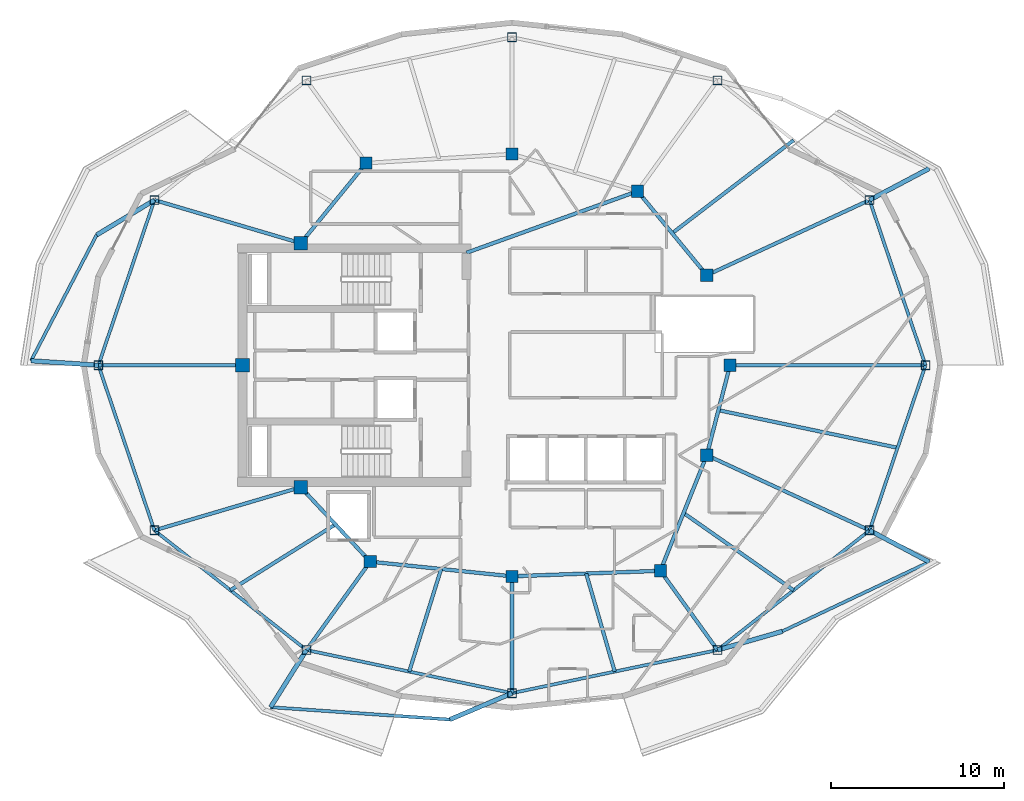
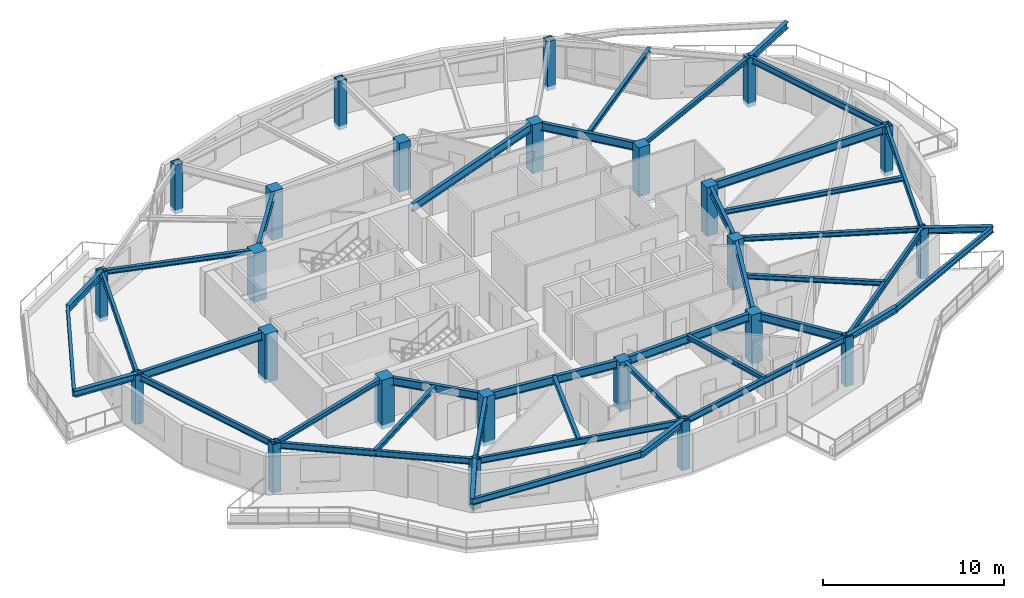
# One storey, part 1 of 12: 41 beams, 24 columns.
"""IFC4 building model written with IfcOpenShell, lengths in metres."""

from ifc_helpers import new_model, si_unit, direction, frame, origin, origin_2d, place, context, subcontext, project, spatial, rectangle, hollow_rectangle, i_section, extrude, material, material_profile, profile_set, type_object, element, save


model = new_model("IFC4")

# Units and contexts
model_context = context("Model", 3, precision=1e-05, world=origin(), true_north=direction((0.0, 1.0)))
body_context = subcontext(model_context, "Body", "Model", "MODEL_VIEW")
ifc_project = project(units=[si_unit("LENGTHUNIT", "METRE"), si_unit("AREAUNIT", "SQUARE_METRE"), si_unit("VOLUMEUNIT", "CUBIC_METRE"), si_unit("PLANEANGLEUNIT", "RADIAN"), si_unit("MASSUNIT", "GRAM", prefix="KILO")], contexts=[model_context])

# Site, building, storey
site_placement = place(None, origin())
site = spatial("IfcSite", under=ifc_project, at=site_placement, CompositionType="ELEMENT")
building_placement = place(site_placement, origin())
building = spatial("IfcBuilding", under=site, at=building_placement, Name="Kolvaren Gate Tower and Convention Centre", CompositionType="ELEMENT")
storey_placement = place(building_placement, frame((0.0, 0.0, 199.699951171875)))
storey = spatial("IfcBuildingStorey", under=building, at=storey_placement, Name="L52", CompositionType="ELEMENT", Elevation=199.699951171875)

# Columns
ifc_material_1 = material(Name="Structural steel ASTM A500 Grade C 345 MPa", Category="steel")
ifc_material_profile_1 = material_profile(ifc_material_1, hollow_rectangle(XDim=0.508056640625, YDim=0.508056640625, WallThickness=0.01904296875, at=origin_2d()), Name="HSS508X508X19.1")
ifc_profile_set_1 = profile_set([ifc_material_profile_1], Name="Structural steel ASTM A500 Grade C 345 MPa")
column_type_1 = type_object("IfcColumnType", Name="STR-COL-HSS508", PredefinedType="COLUMN", material=ifc_profile_set_1)
for number, where, z_axis, x_axis, name in (
    (1, (54.02490234375, 27.0, -0.27001953125), (0.0, 0.0, 1.0), (1.0, 0.0, 0.0), "Tower L52 Perimeter Supercolumn TP-01"),
    (2, (50.787353515625, 36.543701171875, -0.27001953125), (0.0, 0.0, 1.0), (1.0, 0.0, 0.0), "Tower L52 Perimeter Supercolumn TP-02"),
    (3, (42.002685546875, 43.4580078125, -0.27001953125), (0.0, 0.0, 1.0), (1.0, 0.0, 0.0), "Tower L52 Perimeter Supercolumn TP-03"),
    (4, (30.125, 45.949951171875, -0.27001953125), (0.0, 0.0, 1.0), (1.0, 0.0, 0.0), "Tower L52 Perimeter Supercolumn TP-04"),
    (5, (18.247314453125, 43.4580078125, -0.27001953125), (0.0, 0.0, 1.0), (1.0, 0.0, 0.0), "Tower L52 Perimeter Supercolumn TP-05"),
    (6, (9.462646484375, 36.543701171875, -0.27001953125), (0.0, 0.0, 1.0), (1.0, 0.0, 0.0), "Tower L52 Perimeter Supercolumn TP-06"),
    (7, (6.22509765625, 27.0, -0.27001953125), (0.0, 0.0, 1.0), (1.0, 0.0, 0.0), "Tower L52 Perimeter Supercolumn TP-07"),
    (8, (9.462646484375, 17.456298828125, -0.27001953125), (0.0, 0.0, 1.0), (1.0, 0.0, 0.0), "Tower L52 Perimeter Supercolumn TP-08"),
    (9, (18.247314453125, 10.5419921875, -0.27001953125), (0.0, 0.0, 1.0), (1.0, 0.0, 0.0), "Tower L52 Perimeter Supercolumn TP-09"),
    (10, (30.125, 8.050048828125, -0.27001953125), (0.0, 0.0, 1.0), (1.0, 0.0, 0.0), "Tower L52 Perimeter Supercolumn TP-10"),
    (11, (42.002685546875, 10.5419921875, -0.27001953125), (0.0, 0.0, 1.0), (1.0, 0.0, 0.0), "Tower L52 Perimeter Supercolumn TP-11"),
    (12, (50.787353515625, 17.456298828125, -0.27001953125), (0.0, 0.0, 1.0), (1.0, 0.0, 0.0), "Tower L52 Perimeter Supercolumn TP-12"),
):
    element("IfcColumn", number, at=place(storey_placement, frame(where, z_axis=z_axis, x_axis=x_axis)), inside=storey, type_object=column_type_1, Name=name, PredefinedType="COLUMN", context=body_context, shape_type="SweptSolid", body=[
        extrude(hollow_rectangle(XDim=0.508056640625, YDim=0.508056640625, WallThickness=0.01904296875, at=origin_2d()), origin(), (0.0, 0.0, 1.0), 3.300048828125),
    ])
ifc_material_2 = material(Name="Concrete C50/60", Category="concrete")
ifc_material_profile_2 = material_profile(ifc_material_2, rectangle(XDim=0.699951171875, YDim=0.699951171875, at=origin_2d()), Name="RC-COL-700X700")
ifc_profile_set_2 = profile_set([ifc_material_profile_2], Name="Concrete C50/60")
column_type_2 = type_object("IfcColumnType", Name="STR-COL-RC700", PredefinedType="COLUMN", material=ifc_profile_set_2)
for number, where, z_axis, x_axis, name in (
    (13, (42.72509765625, 27.0, -0.27001953125), (0.0, 0.0, 1.0), (1.0, 0.0, 0.0), "Tower L52 Interior Column TI-01"),
    (14, (41.382080078125, 32.199462890625, -0.27001953125), (0.0, 0.0, 1.0), (1.0, 0.0, 0.0), "Tower L52 Interior Column TI-02"),
    (15, (37.381591796875, 37.054931640625, -0.27001953125), (0.0, 0.0, 1.0), (1.0, 0.0, 0.0), "Tower L52 Interior Column TI-03"),
    (16, (30.125, 39.199951171875, -0.27001953125), (0.0, 0.0, 1.0), (1.0, 0.0, 0.0), "Tower L52 Interior Column TI-04"),
    (17, (21.697998046875, 38.6767578125, -0.27001953125), (0.0, 0.0, 1.0), (1.0, 0.0, 0.0), "Tower L52 Interior Column TI-05"),
    (18, (21.93212890625, 15.647705078125, -0.27001953125), (0.0, 0.0, 1.0), (1.0, 0.0, 0.0), "Tower L52 Interior Column TI-06"),
    (19, (30.125, 14.800048828125, -0.27001953125), (0.0, 0.0, 1.0), (1.0, 0.0, 0.0), "Tower L52 Interior Column TI-07"),
    (20, (38.6982421875, 15.12060546875, -0.27001953125), (0.0, 0.0, 1.0), (1.0, 0.0, 0.0), "Tower L52 Interior Column TI-08"),
    (21, (41.382080078125, 21.800537109375, -0.27001953125), (0.0, 0.0, 1.0), (1.0, 0.0, 0.0), "Tower L52 Interior Column TI-09"),
):
    element("IfcColumn", number, at=place(storey_placement, frame(where, z_axis=z_axis, x_axis=x_axis)), inside=storey, type_object=column_type_2, Name=name, PredefinedType="COLUMN", context=body_context, shape_type="SweptSolid", body=[
        extrude(rectangle(XDim=0.699951171875, YDim=0.699951171875, at=origin_2d()), origin(), (0.0, 0.0, 1.0), 3.300048828125),
    ])
ifc_material_3 = material(Name="Concrete C60/75", Category="concrete")
ifc_material_profile_3 = material_profile(ifc_material_3, rectangle(XDim=0.800048828125, YDim=0.800048828125, at=origin_2d()), Name="RC-COL-800X800")
ifc_profile_set_3 = profile_set([ifc_material_profile_3], Name="Concrete C60/75")
column_type_3 = type_object("IfcColumnType", Name="STR-PIL-RC800", PredefinedType="PILASTER", material=ifc_profile_set_3)
for number, where, z_axis, x_axis, name in (
    (22, (17.9140625, 34.050048828125, -0.27001953125), (0.0, 0.0, 1.0), (1.0, 0.0, 0.0), "Tower L52 Core Boundary Pilaster TC-05"),
    (23, (14.550048828125, 27.0, -0.27001953125), (0.0, 0.0, 1.0), (1.0, 0.0, 0.0), "Tower L52 Core Boundary Pilaster TC-06"),
    (24, (17.9140625, 19.949951171875, -0.27001953125), (0.0, 0.0, 1.0), (1.0, 0.0, 0.0), "Tower L52 Core Boundary Pilaster TC-07"),
):
    element("IfcColumn", number, at=place(storey_placement, frame(where, z_axis=z_axis, x_axis=x_axis)), inside=storey, type_object=column_type_3, Name=name, PredefinedType="PILASTER", context=body_context, shape_type="SweptSolid", body=[
        extrude(rectangle(XDim=0.800048828125, YDim=0.800048828125, at=origin_2d()), origin(), (0.0, 0.0, 1.0), 3.300048828125),
    ])

# Beams
ifc_material_4 = material(Name="Structural steel ASTM A992 Grade 345 MPa", Category="steel")
ifc_material_profile_4 = material_profile(ifc_material_4, i_section(OverallWidth=0.260009765625, OverallDepth=0.419921875, WebThickness=0.013427734375, FlangeThickness=0.0224609375, at=origin_2d()), Name="W410X132")
ifc_profile_set_4 = profile_set([ifc_material_profile_4], Name="Structural steel ASTM A992 Grade 345 MPa")
beam_type_1 = type_object("IfcBeamType", Name="STR-BM-W410X132", PredefinedType="BEAM", material=ifc_profile_set_4)
beam_1_placement = place(storey_placement, frame((50.787353515625, 36.543701171875, 2.820556640625), z_axis=(0.88362340532, 0.468198331448, 0.0), x_axis=(-0.468198331448, 0.88362340532, 0.0)))
element("IfcBeam", 25, at=beam_1_placement, inside=storey, type_object=beam_type_1, Name="Tower L53 Planted Balcony Outrigger Cantilever BC-1A", PredefinedType="BEAM", context=body_context, shape_type="SweptSolid", body=[
    extrude(i_section(OverallWidth=0.260009765625, OverallDepth=0.419921875, WebThickness=0.013427734375, FlangeThickness=0.0224609375, at=origin_2d()), origin(), (0.0, 0.0, 1.0), 3.89990234375),
])
for number, where, z_axis, x_axis, name in (
    (26, (9.462646484375, 36.543701171875, 2.820556640625), (-0.856097890351, -0.516813701575, 0.0), (0.516813701575, -0.856097890351, 0.0), "Tower L53 Planted Balcony Outrigger Cantilever BC-2A"),
    (27, (6.22509765625, 27.0, 2.820556640625), (-0.997825138942, 0.065916554034, 0.0), (-0.065916554034, -0.997825138942, 0.0), "Tower L53 Planted Balcony Outrigger Cantilever BC-2B"),
):
    element("IfcBeam", number, at=place(storey_placement, frame(where, z_axis=z_axis, x_axis=x_axis)), inside=storey, type_object=beam_type_1, Name=name, PredefinedType="BEAM", context=body_context, shape_type="SweptSolid", body=[
        extrude(i_section(OverallWidth=0.260009765625, OverallDepth=0.419921875, WebThickness=0.013427734375, FlangeThickness=0.0224609375, at=origin_2d()), origin(), (0.0, 0.0, 1.0), 3.900146484375),
    ])
for number, where, z_axis, x_axis, name in (
    (28, (18.247314453125, 10.5419921875, 2.820556640625), (-0.531225067521, -0.847230740494, 0.0), (0.847230740494, -0.531225067521, 0.0), "Tower L53 Planted Balcony Outrigger Cantilever BC-3A"),
    (29, (30.125, 8.050048828125, 2.820556640625), (-0.920415965842, -0.390940468386, 0.0), (0.390940468386, -0.920415965842, 0.0), "Tower L53 Planted Balcony Outrigger Cantilever BC-3B"),
    (30, (42.002685546875, 10.5419921875, 2.820556640625), (0.960795374216, 0.277258451421, 0.0), (-0.277258451421, 0.960795374216, 0.0), "Tower L53 Planted Balcony Outrigger Cantilever BC-4A"),
    (31, (50.787353515625, 17.456298828125, 2.820556640625), (0.88362340532, -0.468198331448, 0.0), (0.468198331448, 0.88362340532, 0.0), "Tower L53 Planted Balcony Outrigger Cantilever BC-4B"),
):
    element("IfcBeam", number, at=place(storey_placement, frame(where, z_axis=z_axis, x_axis=x_axis)), inside=storey, type_object=beam_type_1, Name=name, PredefinedType="BEAM", context=body_context, shape_type="SweptSolid", body=[
        extrude(i_section(OverallWidth=0.260009765625, OverallDepth=0.419921875, WebThickness=0.013427734375, FlangeThickness=0.0224609375, at=origin_2d()), origin(), (0.0, 0.0, 1.0), 3.89990234375),
    ])
ifc_material_profile_5 = material_profile(ifc_material_4, i_section(OverallWidth=0.2119140625, OverallDepth=0.5439453125, WebThickness=0.01318359375, FlangeThickness=0.021240234375, at=origin_2d()), Name="W530X123")
ifc_profile_set_5 = profile_set([ifc_material_profile_5], Name="Structural steel ASTM A992 Grade 345 MPa")
beam_type_2 = type_object("IfcBeamType", Name="STR-BM-W530X123", PredefinedType="BEAM", material=ifc_profile_set_5)
beam_2_placement = place(storey_placement, frame((42.72509765625, 27.0, 2.758056640625), z_axis=(-0.250091133936, -0.968222301296, 0.0), x_axis=(0.968222301296, -0.250091133936, 0.0)))
element("IfcBeam", 32, at=beam_2_placement, inside=storey, type_object=beam_type_2, Name="Tower L52 Primary Ring Girder G-01", PredefinedType="BEAM", context=body_context, shape_type="SweptSolid", body=[
    extrude(i_section(OverallWidth=0.2119140625, OverallDepth=0.5439453125, WebThickness=0.01318359375, FlangeThickness=0.021240234375, at=origin_2d()), origin(), (0.0, 0.0, 1.0), 5.3701171875),
])
beam_3_placement = place(storey_placement, frame((41.382080078125, 32.199462890625, 2.758056640625), z_axis=(-0.635884066011, 0.771784590798, 0.0), x_axis=(-0.771784590798, -0.635884066011, 0.0)))
element("IfcBeam", 33, at=beam_3_placement, inside=storey, type_object=beam_type_2, Name="Tower L52 Primary Ring Girder G-02", PredefinedType="BEAM", context=body_context, shape_type="SweptSolid", body=[
    extrude(i_section(OverallWidth=0.2119140625, OverallDepth=0.5439453125, WebThickness=0.01318359375, FlangeThickness=0.021240234375, at=origin_2d()), origin(), (0.0, 0.0, 1.0), 6.291259765625),
])
beam_4_placement = place(storey_placement, frame((21.697998046875, 38.6767578125, 2.758056640625), z_axis=(-0.633082074904, -0.774084676528, 0.0), x_axis=(0.774084676528, -0.633082074904, 0.0)))
element("IfcBeam", 34, at=beam_4_placement, inside=storey, type_object=beam_type_2, Name="Tower L52 Primary Ring Girder G-05", PredefinedType="BEAM", context=body_context, shape_type="SweptSolid", body=[
    extrude(i_section(OverallWidth=0.2119140625, OverallDepth=0.5439453125, WebThickness=0.01318359375, FlangeThickness=0.021240234375, at=origin_2d()), origin(), (0.0, 0.0, 1.0), 5.97705078125),
])
beam_5_placement = place(storey_placement, frame((17.9140625, 19.949951171875, 2.758056640625), z_axis=(0.682557592987, -0.730831808459, 0.0), x_axis=(0.730831808459, 0.682557592987, 0.0)))
element("IfcBeam", 35, at=beam_5_placement, inside=storey, type_object=beam_type_2, Name="Tower L52 Primary Ring Girder G-06", PredefinedType="BEAM", context=body_context, shape_type="SweptSolid", body=[
    extrude(i_section(OverallWidth=0.2119140625, OverallDepth=0.5439453125, WebThickness=0.01318359375, FlangeThickness=0.021240234375, at=origin_2d()), origin(), (0.0, 0.0, 1.0), 5.88671875),
])
beam_6_placement = place(storey_placement, frame((21.93212890625, 15.647705078125, 2.758056640625), z_axis=(0.994690329115, -0.102913308978, 0.0), x_axis=(0.102913308978, 0.994690329115, 0.0)))
element("IfcBeam", 36, at=beam_6_placement, inside=storey, type_object=beam_type_2, Name="Tower L52 Primary Ring Girder G-07", PredefinedType="BEAM", context=body_context, shape_type="SweptSolid", body=[
    extrude(i_section(OverallWidth=0.2119140625, OverallDepth=0.5439453125, WebThickness=0.01318359375, FlangeThickness=0.021240234375, at=origin_2d()), origin(), (0.0, 0.0, 1.0), 8.236572265625),
])
beam_7_placement = place(storey_placement, frame((30.125, 14.800048828125, 2.758056640625), z_axis=(0.999301712453, 0.037364254142, 0.0), x_axis=(-0.037364254142, 0.999301712453, 0.0)))
element("IfcBeam", 37, at=beam_7_placement, inside=storey, type_object=beam_type_2, Name="Tower L52 Primary Ring Girder G-08", PredefinedType="BEAM", context=body_context, shape_type="SweptSolid", body=[
    extrude(i_section(OverallWidth=0.2119140625, OverallDepth=0.5439453125, WebThickness=0.01318359375, FlangeThickness=0.021240234375, at=origin_2d()), origin(), (0.0, 0.0, 1.0), 8.579345703125),
])
beam_8_placement = place(storey_placement, frame((38.6982421875, 15.12060546875, 2.758056640625), z_axis=(0.372811100169, 0.927907260232, 0.0), x_axis=(-0.927907260232, 0.372811100169, 0.0)))
element("IfcBeam", 38, at=beam_8_placement, inside=storey, type_object=beam_type_2, Name="Tower L52 Primary Ring Girder G-09", PredefinedType="BEAM", context=body_context, shape_type="SweptSolid", body=[
    extrude(i_section(OverallWidth=0.2119140625, OverallDepth=0.5439453125, WebThickness=0.01318359375, FlangeThickness=0.021240234375, at=origin_2d()), origin(), (0.0, 0.0, 1.0), 7.198974609375),
])
beam_9_placement = place(storey_placement, frame((27.5, 33.5, 2.758056640625), z_axis=(0.940961479908, 0.338513653093, 0.0), x_axis=(-0.338513653093, 0.940961479908, 0.0)))
element("IfcBeam", 39, at=beam_9_placement, inside=storey, type_object=beam_type_2, Name="Tower L52 Primary Ring Girder G-10", PredefinedType="BEAM", context=body_context, shape_type="SweptSolid", body=[
    extrude(i_section(OverallWidth=0.2119140625, OverallDepth=0.5439453125, WebThickness=0.01318359375, FlangeThickness=0.021240234375, at=origin_2d()), origin(), (0.0, 0.0, 1.0), 10.501708984375),
])
beam_10_placement = place(storey_placement, frame((42.72509765625, 27.0, 2.758056640625), z_axis=(1.0, 0.0, 0.0), x_axis=(0.0, 1.0, 0.0)))
element("IfcBeam", 40, at=beam_10_placement, inside=storey, type_object=beam_type_2, Name="Tower L52 Radial Floor Girder RB-01", PredefinedType="BEAM", context=body_context, shape_type="SweptSolid", body=[
    extrude(i_section(OverallWidth=0.2119140625, OverallDepth=0.5439453125, WebThickness=0.01318359375, FlangeThickness=0.021240234375, at=origin_2d()), origin(), (0.0, 0.0, 1.0), 11.2998046875),
])
beam_11_placement = place(storey_placement, frame((14.550048828125, 27.0, 2.758056640625), z_axis=(-1.0, 0.0, 0.0), x_axis=(0.0, -1.0, 0.0)))
element("IfcBeam", 41, at=beam_11_placement, inside=storey, type_object=beam_type_2, Name="Tower L52 Radial Floor Girder RB-07", PredefinedType="BEAM", context=body_context, shape_type="SweptSolid", body=[
    extrude(i_section(OverallWidth=0.2119140625, OverallDepth=0.5439453125, WebThickness=0.01318359375, FlangeThickness=0.021240234375, at=origin_2d()), origin(), (0.0, 0.0, 1.0), 8.324951171875),
])
beam_12_placement = place(storey_placement, frame((21.93212890625, 15.647705078125, 2.758056640625), z_axis=(-0.585214462319, -0.810878556316, 0.0), x_axis=(0.810878556316, -0.585214462319, 0.0)))
element("IfcBeam", 42, at=beam_12_placement, inside=storey, type_object=beam_type_2, Name="Tower L52 Radial Floor Girder RB-09", PredefinedType="BEAM", context=body_context, shape_type="SweptSolid", body=[
    extrude(i_section(OverallWidth=0.2119140625, OverallDepth=0.5439453125, WebThickness=0.01318359375, FlangeThickness=0.021240234375, at=origin_2d()), origin(), (0.0, 0.0, 1.0), 6.296630859375),
])
beam_13_placement = place(storey_placement, frame((38.6982421875, 15.12060546875, 2.758056640625), z_axis=(0.585218993275, -0.810875286286, 0.0), x_axis=(0.810875286286, 0.585218993275, 0.0)))
element("IfcBeam", 43, at=beam_13_placement, inside=storey, type_object=beam_type_2, Name="Tower L52 Radial Floor Girder RB-11", PredefinedType="BEAM", context=body_context, shape_type="SweptSolid", body=[
    extrude(i_section(OverallWidth=0.2119140625, OverallDepth=0.5439453125, WebThickness=0.01318359375, FlangeThickness=0.021240234375, at=origin_2d()), origin(), (0.0, 0.0, 1.0), 5.646484375),
])
ifc_material_profile_6 = material_profile(ifc_material_4, i_section(OverallWidth=0.205078125, OverallDepth=0.31005859375, WebThickness=0.009521484375, FlangeThickness=0.016357421875, at=origin_2d()), Name="W310X74")
ifc_profile_set_6 = profile_set([ifc_material_profile_6], Name="Structural steel ASTM A992 Grade 345 MPa")
beam_type_3 = type_object("IfcBeamType", Name="STR-JS-W310X74", PredefinedType="JOIST", material=ifc_profile_set_6)
beam_14_placement = place(storey_placement, frame((41.382080078125, 32.199462890625, 2.875), z_axis=(0.907836575129, 0.419324162025, 0.0), x_axis=(-0.419324162025, 0.907836575129, 0.0)))
element("IfcBeam", 44, at=beam_14_placement, inside=storey, type_object=beam_type_3, Name="Tower L52 Radial Floor Girder RB-02", PredefinedType="JOIST", context=body_context, shape_type="SweptSolid", body=[
    extrude(i_section(OverallWidth=0.205078125, OverallDepth=0.31005859375, WebThickness=0.009521484375, FlangeThickness=0.016357421875, at=origin_2d()), origin(), (0.0, 0.0, 1.0), 10.360107421875),
])
for number, where, z_axis, x_axis, name in (
    (45, (17.9140625, 34.050048828125, 2.875), (-0.959121165581, 0.28299574155, 0.0), (-0.28299574155, -0.959121165581, 0.0), "Tower L52 Radial Floor Girder RB-06"),
    (46, (17.9140625, 19.949951171875, 2.875), (-0.959121165581, -0.28299574155, 0.0), (0.28299574155, -0.959121165581, 0.0), "Tower L52 Radial Floor Girder RB-08"),
):
    element("IfcBeam", number, at=place(storey_placement, frame(where, z_axis=z_axis, x_axis=x_axis)), inside=storey, type_object=beam_type_3, Name=name, PredefinedType="JOIST", context=body_context, shape_type="SweptSolid", body=[
        extrude(i_section(OverallWidth=0.205078125, OverallDepth=0.31005859375, WebThickness=0.009521484375, FlangeThickness=0.016357421875, at=origin_2d()), origin(), (0.0, 0.0, 1.0), 8.8115234375),
    ])
beam_15_placement = place(storey_placement, frame((30.125, 14.800048828125, 2.875), z_axis=(0.0, -1.0, 0.0), x_axis=(1.0, 0.0, 0.0)))
element("IfcBeam", 47, at=beam_15_placement, inside=storey, type_object=beam_type_3, Name="Tower L52 Radial Floor Girder RB-10", PredefinedType="JOIST", context=body_context, shape_type="SweptSolid", body=[
    extrude(i_section(OverallWidth=0.205078125, OverallDepth=0.31005859375, WebThickness=0.009521484375, FlangeThickness=0.016357421875, at=origin_2d()), origin(), (0.0, 0.0, 1.0), 6.75),
])
beam_16_placement = place(storey_placement, frame((41.382080078125, 21.800537109375, 2.875), z_axis=(0.907836575129, -0.419324162025, 0.0), x_axis=(0.419324162025, 0.907836575129, 0.0)))
element("IfcBeam", 48, at=beam_16_placement, inside=storey, type_object=beam_type_3, Name="Tower L52 Radial Floor Girder RB-12", PredefinedType="JOIST", context=body_context, shape_type="SweptSolid", body=[
    extrude(i_section(OverallWidth=0.205078125, OverallDepth=0.31005859375, WebThickness=0.009521484375, FlangeThickness=0.016357421875, at=origin_2d()), origin(), (0.0, 0.0, 1.0), 10.360107421875),
])
beam_17_placement = place(storey_placement, frame((39.3818359375, 34.627197265625, 2.875), z_axis=(0.793783340844, 0.608200631205, 0.0), x_axis=(-0.608200631205, 0.793783340844, 0.0)))
element("IfcBeam", 49, at=beam_17_placement, inside=storey, type_object=beam_type_3, Name="Tower L52 Secondary Composite Floor Joist J-02.1", PredefinedType="JOIST", context=body_context, shape_type="SweptSolid", body=[
    extrude(i_section(OverallWidth=0.205078125, OverallDepth=0.31005859375, WebThickness=0.009521484375, FlangeThickness=0.016357421875, at=origin_2d()), origin(), (0.0, 0.0, 1.0), 8.835205078125),
])
beam_18_placement = place(storey_placement, frame((19.923095703125, 17.798828125, 2.875), z_axis=(-0.847559309278, -0.530700685186, 0.0), x_axis=(0.530700685186, -0.847559309278, 0.0)))
element("IfcBeam", 50, at=beam_18_placement, inside=storey, type_object=beam_type_3, Name="Tower L52 Secondary Composite Floor Joist J-08.1", PredefinedType="JOIST", context=body_context, shape_type="SweptSolid", body=[
    extrude(i_section(OverallWidth=0.205078125, OverallDepth=0.31005859375, WebThickness=0.009521484375, FlangeThickness=0.016357421875, at=origin_2d()), origin(), (0.0, 0.0, 1.0), 7.159423828125),
])
beam_19_placement = place(storey_placement, frame((26.028564453125, 15.223876953125, 2.875), z_axis=(-0.296776485487, -0.954946971126, 0.0), x_axis=(0.954946971126, -0.296776485487, 0.0)))
element("IfcBeam", 51, at=beam_19_placement, inside=storey, type_object=beam_type_3, Name="Tower L52 Secondary Composite Floor Joist J-09.1", PredefinedType="JOIST", context=body_context, shape_type="SweptSolid", body=[
    extrude(i_section(OverallWidth=0.205078125, OverallDepth=0.31005859375, WebThickness=0.009521484375, FlangeThickness=0.016357421875, at=origin_2d()), origin(), (0.0, 0.0, 1.0), 6.207763671875),
])
beam_20_placement = place(storey_placement, frame((34.41162109375, 14.960205078125, 2.875), z_axis=(0.280001588896, -0.959999536571, 0.0), x_axis=(0.959999536571, 0.280001588896, 0.0)))
element("IfcBeam", 52, at=beam_20_placement, inside=storey, type_object=beam_type_3, Name="Tower L52 Secondary Composite Floor Joist J-10.1", PredefinedType="JOIST", context=body_context, shape_type="SweptSolid", body=[
    extrude(i_section(OverallWidth=0.205078125, OverallDepth=0.31005859375, WebThickness=0.009521484375, FlangeThickness=0.016357421875, at=origin_2d()), origin(), (0.0, 0.0, 1.0), 5.900390625),
])
beam_21_placement = place(storey_placement, frame((40.040283203125, 18.46044921875, 2.875), z_axis=(0.81845266589, -0.574573958423, 0.0), x_axis=(0.574573958423, 0.81845266589, 0.0)))
element("IfcBeam", 53, at=beam_21_placement, inside=storey, type_object=beam_type_3, Name="Tower L52 Secondary Composite Floor Joist J-11.1", PredefinedType="JOIST", context=body_context, shape_type="SweptSolid", body=[
    extrude(i_section(OverallWidth=0.205078125, OverallDepth=0.31005859375, WebThickness=0.009521484375, FlangeThickness=0.016357421875, at=origin_2d()), origin(), (0.0, 0.0, 1.0), 7.764404296875),
])
beam_22_placement = place(storey_placement, frame((42.0537109375, 24.400146484375, 2.875), z_axis=(0.978694513543, -0.205321818519, 0.0), x_axis=(0.205321818519, 0.978694513543, 0.0)))
element("IfcBeam", 54, at=beam_22_placement, inside=storey, type_object=beam_type_3, Name="Tower L52 Secondary Composite Floor Joist J-12.1", PredefinedType="JOIST", context=body_context, shape_type="SweptSolid", body=[
    extrude(i_section(OverallWidth=0.205078125, OverallDepth=0.31005859375, WebThickness=0.009521484375, FlangeThickness=0.016357421875, at=origin_2d()), origin(), (0.0, 0.0, 1.0), 10.577880859375),
])
ifc_material_profile_7 = material_profile(ifc_material_4, i_section(OverallWidth=0.180908203125, OverallDepth=0.4169921875, WebThickness=0.010986328125, FlangeThickness=0.018310546875, at=origin_2d()), Name="W410X85")
ifc_profile_set_7 = profile_set([ifc_material_profile_7], Name="Structural steel ASTM A992 Grade 345 MPa")
beam_type_4 = type_object("IfcBeamType", Name="STR-SP-W410X85", PredefinedType="SPANDREL", material=ifc_profile_set_7)
for number, where, z_axis, x_axis, name in (
    (55, (54.02490234375, 27.0, 2.821533203125), (-0.321252507379, 0.946993572577, 0.0), (-0.946993572577, -0.321252507379, 0.0), "Tower L52 Perimeter Spandrel Beam SP-01"),
    (56, (9.462646484375, 36.543701171875, 2.821533203125), (-0.321252507379, -0.946993572577, 0.0), (0.946993572577, -0.321252507379, 0.0), "Tower L52 Perimeter Spandrel Beam SP-06"),
    (57, (6.22509765625, 27.0, 2.821533203125), (0.321252507379, -0.946993572577, 0.0), (0.946993572577, 0.321252507379, 0.0), "Tower L52 Perimeter Spandrel Beam SP-07"),
):
    element("IfcBeam", number, at=place(storey_placement, frame(where, z_axis=z_axis, x_axis=x_axis)), inside=storey, type_object=beam_type_4, Name=name, PredefinedType="SPANDREL", context=body_context, shape_type="SweptSolid", body=[
        extrude(i_section(OverallWidth=0.180908203125, OverallDepth=0.4169921875, WebThickness=0.010986328125, FlangeThickness=0.018310546875, at=origin_2d()), origin(), (0.0, 0.0, 1.0), 10.077880859375),
    ])
beam_23_placement = place(storey_placement, frame((9.462646484375, 17.456298828125, 2.821533203125), z_axis=(0.78579365551, -0.618488747643, 0.0), x_axis=(0.618488747643, 0.78579365551, 0.0)))
element("IfcBeam", 58, at=beam_23_placement, inside=storey, type_object=beam_type_4, Name="Tower L52 Perimeter Spandrel Beam SP-08", PredefinedType="SPANDREL", context=body_context, shape_type="SweptSolid", body=[
    extrude(i_section(OverallWidth=0.180908203125, OverallDepth=0.4169921875, WebThickness=0.010986328125, FlangeThickness=0.018310546875, at=origin_2d()), origin(), (0.0, 0.0, 1.0), 11.179443359375),
])
for number, where, z_axis, x_axis, name in (
    (59, (18.247314453125, 10.5419921875, 2.821533203125), (0.978692765917, -0.205330148645, 0.0), (0.205330148645, 0.978692765917, 0.0), "Tower L52 Perimeter Spandrel Beam SP-09"),
    (60, (30.125, 8.050048828125, 2.821533203125), (0.978692765917, 0.205330148645, 0.0), (-0.205330148645, 0.978692765917, 0.0), "Tower L52 Perimeter Spandrel Beam SP-10"),
):
    element("IfcBeam", number, at=place(storey_placement, frame(where, z_axis=z_axis, x_axis=x_axis)), inside=storey, type_object=beam_type_4, Name=name, PredefinedType="SPANDREL", context=body_context, shape_type="SweptSolid", body=[
        extrude(i_section(OverallWidth=0.180908203125, OverallDepth=0.4169921875, WebThickness=0.010986328125, FlangeThickness=0.018310546875, at=origin_2d()), origin(), (0.0, 0.0, 1.0), 12.13623046875),
    ])
beam_24_placement = place(storey_placement, frame((42.002685546875, 10.5419921875, 2.821533203125), z_axis=(0.78579365551, 0.618488747643, 0.0), x_axis=(-0.618488747643, 0.78579365551, 0.0)))
element("IfcBeam", 61, at=beam_24_placement, inside=storey, type_object=beam_type_4, Name="Tower L52 Perimeter Spandrel Beam SP-11", PredefinedType="SPANDREL", context=body_context, shape_type="SweptSolid", body=[
    extrude(i_section(OverallWidth=0.180908203125, OverallDepth=0.4169921875, WebThickness=0.010986328125, FlangeThickness=0.018310546875, at=origin_2d()), origin(), (0.0, 0.0, 1.0), 11.179443359375),
])
beam_25_placement = place(storey_placement, frame((50.787353515625, 17.456298828125, 2.821533203125), z_axis=(0.321252507379, 0.946993572577, 0.0), x_axis=(-0.946993572577, 0.321252507379, 0.0)))
element("IfcBeam", 62, at=beam_25_placement, inside=storey, type_object=beam_type_4, Name="Tower L52 Perimeter Spandrel Beam SP-12", PredefinedType="SPANDREL", context=body_context, shape_type="SweptSolid", body=[
    extrude(i_section(OverallWidth=0.180908203125, OverallDepth=0.4169921875, WebThickness=0.010986328125, FlangeThickness=0.018310546875, at=origin_2d()), origin(), (0.0, 0.0, 1.0), 10.077880859375),
])
beam_26_placement = place(storey_placement, frame((6.123779296875, 34.528076171875, 2.822021484375), z_axis=(-0.462251551917, -0.886748838595, 0.0), x_axis=(0.886748838595, -0.462251551917, 0.0)))
element("IfcBeam", 63, at=beam_26_placement, inside=storey, type_object=beam_type_4, Name="Tower L53 Planted Balcony Header Tie Beam BT-2", PredefinedType="SPANDREL", context=body_context, shape_type="SweptSolid", body=[
    extrude(i_section(OverallWidth=0.180908203125, OverallDepth=0.4169921875, WebThickness=0.010986328125, FlangeThickness=0.018310546875, at=origin_2d()), origin(), (0.0, 0.0, 1.0), 8.19970703125),
])
beam_27_placement = place(storey_placement, frame((16.175537109375, 7.23779296875, 2.822021484375), z_axis=(0.997643997623, -0.068603600534, 0.0), x_axis=(0.068603600534, 0.997643997623, 0.0)))
element("IfcBeam", 64, at=beam_27_placement, inside=storey, type_object=beam_type_4, Name="Tower L53 Planted Balcony Header Tie Beam BT-3", PredefinedType="SPANDREL", context=body_context, shape_type="SweptSolid", body=[
    extrude(i_section(OverallWidth=0.180908203125, OverallDepth=0.4169921875, WebThickness=0.010986328125, FlangeThickness=0.018310546875, at=origin_2d()), origin(), (0.0, 0.0, 1.0), 10.38427734375),
])
beam_28_placement = place(storey_placement, frame((45.749755859375, 11.623291015625, 2.822021484375), z_axis=(0.90421096583, 0.427086091173, 0.0), x_axis=(-0.427086091173, 0.90421096583, 0.0)))
element("IfcBeam", 65, at=beam_28_placement, inside=storey, type_object=beam_type_4, Name="Tower L53 Planted Balcony Header Tie Beam BT-4", PredefinedType="SPANDREL", context=body_context, shape_type="SweptSolid", body=[
    extrude(i_section(OverallWidth=0.180908203125, OverallDepth=0.4169921875, WebThickness=0.010986328125, FlangeThickness=0.018310546875, at=origin_2d()), origin(), (0.0, 0.0, 1.0), 9.38232421875),
])

save(model, "model.ifc")
